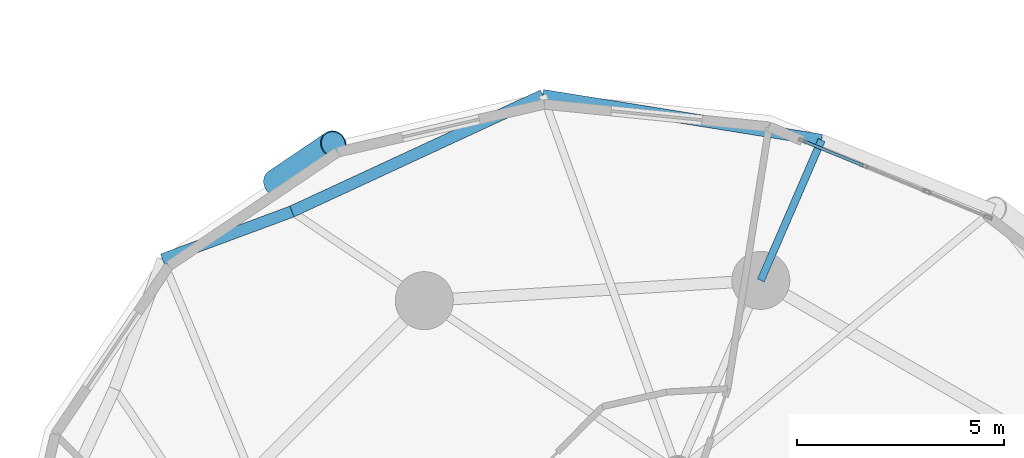
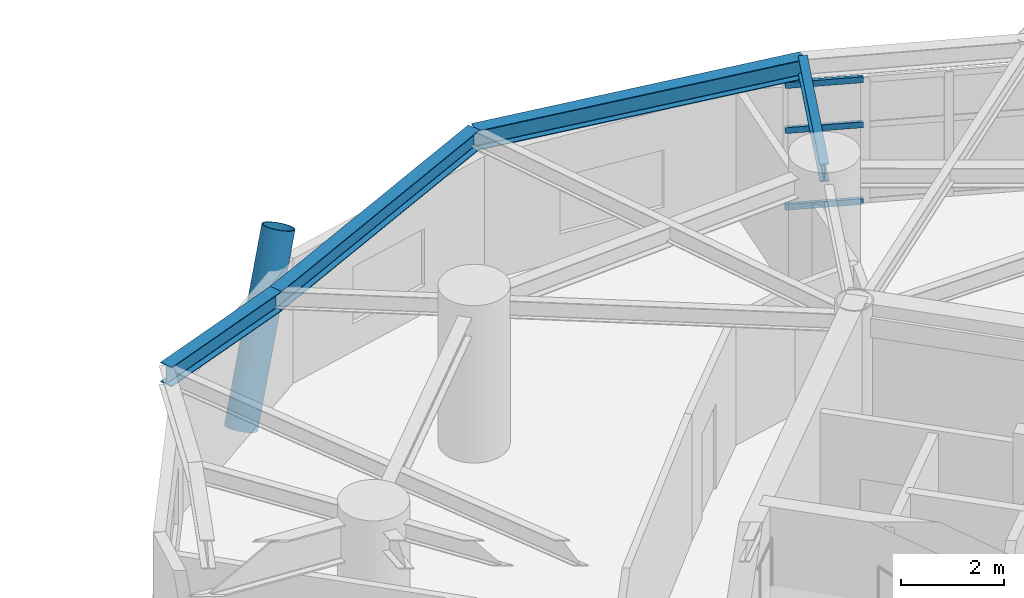
# One storey, part 9 of 19: 4 beams, 4 members, 1 element without a shape of its own.
"""IFC4 building model written with IfcOpenShell, lengths in metres."""

from ifc_helpers import new_model, si_unit, direction, frame, origin, origin_2d, place, context, subcontext, project, spatial, hollow_rectangle, hollow_circle, i_section, extrude, material, layer, layer_set, material_profile, profile_set, type_object, element, aggregate, save


model = new_model("IFC4")

# Units and contexts
model_context = context("Model", 3, precision=1e-05, world=origin(), true_north=direction((0.0, 1.0)))
body_context = subcontext(model_context, "Body", "Model", "MODEL_VIEW")
ifc_project = project(units=[si_unit("LENGTHUNIT", "METRE"), si_unit("AREAUNIT", "SQUARE_METRE"), si_unit("VOLUMEUNIT", "CUBIC_METRE"), si_unit("PLANEANGLEUNIT", "RADIAN"), si_unit("MASSUNIT", "GRAM", prefix="KILO")], contexts=[model_context])

# Site, building, storey
site_placement = place(None, origin())
site = spatial("IfcSite", under=ifc_project, at=site_placement, CompositionType="ELEMENT")
building_placement = place(site_placement, origin())
building = spatial("IfcBuilding", under=site, at=building_placement, Name="Cununo Teusaquillo Station Towers", CompositionType="ELEMENT")
storey_placement = place(building_placement, frame((0.0, 0.0, 136.60009765625)))
storey = spatial("IfcBuildingStorey", under=building, at=storey_placement, Name="L43", CompositionType="ELEMENT", Elevation=136.60009765625)

# Beams
ifc_material_1 = material(Name="Steel ASTM A572 Grade 50", Category="steel")
ifc_material_profile_1 = material_profile(ifc_material_1, i_section(OverallWidth=0.180908203125, OverallDepth=0.4169921875, WebThickness=0.010986328125, FlangeThickness=0.018310546875, FilletRadius=0.012939453125, at=origin_2d()), Name="W16X57")
ifc_profile_set_1 = profile_set([ifc_material_profile_1], Name="Steel ASTM A572 Grade 50")
beam_type_1 = type_object("IfcBeamType", Name="BM-RAD-G2", PredefinedType="BEAM", material=ifc_profile_set_1)
beam_1_placement = place(storey_placement, frame((58.291015625, 37.63525390625, 3.2314453125), z_axis=(0.397421761279, 0.917636062751, 0.0), x_axis=(-0.917636062751, 0.397421761279, 0.0)))
element("IfcBeam", 1, at=beam_1_placement, inside=storey, type_object=beam_type_1, Name="L43 Tower B Perimeter Overhang Girder 02B", PredefinedType="BEAM", context=body_context, shape_type="SweptSolid", body=[
    extrude(i_section(OverallWidth=0.180908203125, OverallDepth=0.4169921875, WebThickness=0.010986328125, FlangeThickness=0.018310546875, FilletRadius=0.012939453125, at=origin_2d()), origin(), (0.0, 0.0, 1.0), 3.690185546875),
])
ifc_material_2 = material(Name="Steel ASTM A572 Grade 50", Category="steel")
ifc_material_profile_2 = material_profile(ifc_material_2, i_section(OverallWidth=0.280029296875, OverallDepth=0.462890625, WebThickness=0.0107421875, FlangeThickness=0.017333984375, FilletRadius=0.013916015625, at=origin_2d()), Name="W18X76")
ifc_profile_set_2 = profile_set([ifc_material_profile_2], Name="Steel ASTM A572 Grade 50")
beam_type_2 = type_object("IfcBeamType", Name="BM-RING-Z2", PredefinedType="SPANDREL", material=ifc_profile_set_2)
beam_2_placement = place(storey_placement, frame((59.757568359375, 41.021484375, 3.20849609375), z_axis=(-0.987331474246, 0.158671232312, 0.0), x_axis=(-0.158671232312, -0.987331474246, 0.0)))
element("IfcBeam", 2, at=beam_2_placement, inside=storey, type_object=beam_type_2, Name="L43 Tower B Spandrel Ring Beam 03", PredefinedType="SPANDREL", context=body_context, shape_type="SweptSolid", body=[
    extrude(i_section(OverallWidth=0.280029296875, OverallDepth=0.462890625, WebThickness=0.0107421875, FlangeThickness=0.017333984375, FilletRadius=0.013916015625, at=origin_2d()), origin(), (0.0, 0.0, 1.0), 6.8115234375),
])
beam_3_placement = place(storey_placement, frame((53.0322265625, 42.102294921875, 3.20849609375), z_axis=(-0.907275870354, -0.420535961689, 0.0), x_axis=(0.420535961689, -0.907275870354, 0.0)))
element("IfcBeam", 3, at=beam_3_placement, inside=storey, type_object=beam_type_2, Name="L43 Tower B Spandrel Ring Beam 04", PredefinedType="SPANDREL", context=body_context, shape_type="SweptSolid", body=[
    extrude(i_section(OverallWidth=0.280029296875, OverallDepth=0.462890625, WebThickness=0.0107421875, FlangeThickness=0.017333984375, FilletRadius=0.013916015625, at=origin_2d()), origin(), (0.0, 0.0, 1.0), 6.671142578125),
])
beam_4_placement = place(storey_placement, frame((46.979736328125, 39.296875, 3.20849609375), z_axis=(-0.937628334414, -0.347639333943, 0.0), x_axis=(0.347639333943, -0.937628334414, 0.0)))
element("IfcBeam", 4, at=beam_4_placement, inside=storey, type_object=beam_type_2, Name="L43 Tower B Spandrel Ring Beam 05", PredefinedType="SPANDREL", context=body_context, shape_type="SweptSolid", body=[
    extrude(i_section(OverallWidth=0.280029296875, OverallDepth=0.462890625, WebThickness=0.0107421875, FlangeThickness=0.017333984375, FilletRadius=0.013916015625, at=origin_2d()), origin(), (0.0, 0.0, 1.0), 3.327392578125),
])

# Curtain wall, members
ifc_material_3 = material(Name="Ceramic-fritted dark low-E double glazing", Category="glass")
ifc_layer = layer(ifc_material_3, 0.179931640625)
ifc_layer_set = layer_set([ifc_layer], Name="Ceramic-fritted dark low-E double glazing")
curtain_wall_type = type_object("IfcCurtainWallType", Name="CW-SYS-04", PredefinedType="USERDEFINED", material=ifc_layer_set)
curtain_wall_placement = place(storey_placement, origin())
curtain_wall = element("IfcCurtainWall", 5, at=curtain_wall_placement, inside=storey, type_object=curtain_wall_type, Name="L43 Tower B Facade Curtain Wall C01", ObjectType="FRITTED GLAZING", PredefinedType="USERDEFINED")
ifc_material_4 = material(Name="Anodised dark bronze aluminium EN AW-6063-T6", Category="aluminium")
ifc_material_profile_3 = material_profile(ifc_material_4, hollow_rectangle(XDim=0.070068359375, YDim=0.139892578125, WallThickness=0.00390625, at=origin_2d()), Name="CW-TRAN-70x140")
ifc_profile_set_3 = profile_set([ifc_material_profile_3], Name="Anodised dark bronze aluminium EN AW-6063-T6")
member_type_1 = type_object("IfcMemberType", Name="CWT-140", PredefinedType="USERDEFINED", material=ifc_profile_set_3)
member_1_placement = place(storey_placement, frame((59.337890625, 40.98876953125, 0.034912109375), z_axis=(0.924532726965, -0.381102659097, 0.0), x_axis=(0.381102659097, 0.924532726965, 0.0)))
member_1 = element("IfcMember", 6, at=member_1_placement, type_object=member_type_1, Name="CW-04 transom 1.1", ObjectType="TRANSOM", PredefinedType="USERDEFINED", context=body_context, shape_type="SweptSolid", body=[
    extrude(hollow_rectangle(XDim=0.070068359375, YDim=0.139892578125, WallThickness=0.00390625, at=origin_2d()), origin(), (0.0, 0.0, 1.0), 1.531005859375),
])
member_2_placement = place(storey_placement, frame((59.337890625, 40.98876953125, 1.849853515625), z_axis=(0.924532726965, -0.381102659097, 0.0), x_axis=(0.381102659097, 0.924532726965, 0.0)))
member_2 = element("IfcMember", 7, at=member_2_placement, type_object=member_type_1, Name="CW-04 transom 1.2", ObjectType="TRANSOM", PredefinedType="USERDEFINED", context=body_context, shape_type="SweptSolid", body=[
    extrude(hollow_rectangle(XDim=0.070068359375, YDim=0.139892578125, WallThickness=0.00390625, at=origin_2d()), origin(), (0.0, 0.0, 1.0), 1.531005859375),
])
member_3_placement = place(storey_placement, frame((59.337890625, 40.98876953125, 2.913818359375), z_axis=(0.924532726965, -0.381102659097, 0.0), x_axis=(0.381102659097, 0.924532726965, 0.0)))
member_3 = element("IfcMember", 8, at=member_3_placement, type_object=member_type_1, Name="CW-04 transom 1.3", ObjectType="TRANSOM", PredefinedType="USERDEFINED", context=body_context, shape_type="SweptSolid", body=[
    extrude(hollow_rectangle(XDim=0.070068359375, YDim=0.139892578125, WallThickness=0.00390625, at=origin_2d()), origin(), (0.0, 0.0, 1.0), 1.531005859375),
])
aggregate(curtain_wall, [member_1, member_2, member_3])

# Member
ifc_material_5 = material(Name="Steel EN 10025-2 S355J2", Category="steel")
ifc_material_profile_4 = material_profile(ifc_material_5, hollow_circle(Radius=0.330078125, WallThickness=0.02490234375, at=origin_2d()), Name="CHS 660x25")
ifc_profile_set_4 = profile_set([ifc_material_profile_4], Name="Steel EN 10025-2 S355J2")
member_type_2 = type_object("IfcMemberType", Name="MBR-DIAG-Z2", PredefinedType="BRACE", material=ifc_profile_set_4)
member_4_placement = place(storey_placement, frame((46.606689453125, 39.996826171875, -0.14013671875), z_axis=(0.337254741435, 0.227973654759, 0.913393262574), x_axis=(-0.560024081213, 0.828476329452, 0.0)))
element("IfcMember", 9, at=member_4_placement, inside=storey, type_object=member_type_2, Name="L43 Tower B Folded-Zigzag Diagrid Tube C04", PredefinedType="BRACE", context=body_context, shape_type="SweptSolid", body=[
    extrude(hollow_circle(Radius=0.330078125, WallThickness=0.02490234375, at=origin_2d()), origin(), (0.0, 0.0, 1.0), 4.07275390625),
])

save(model, "model.ifc")
